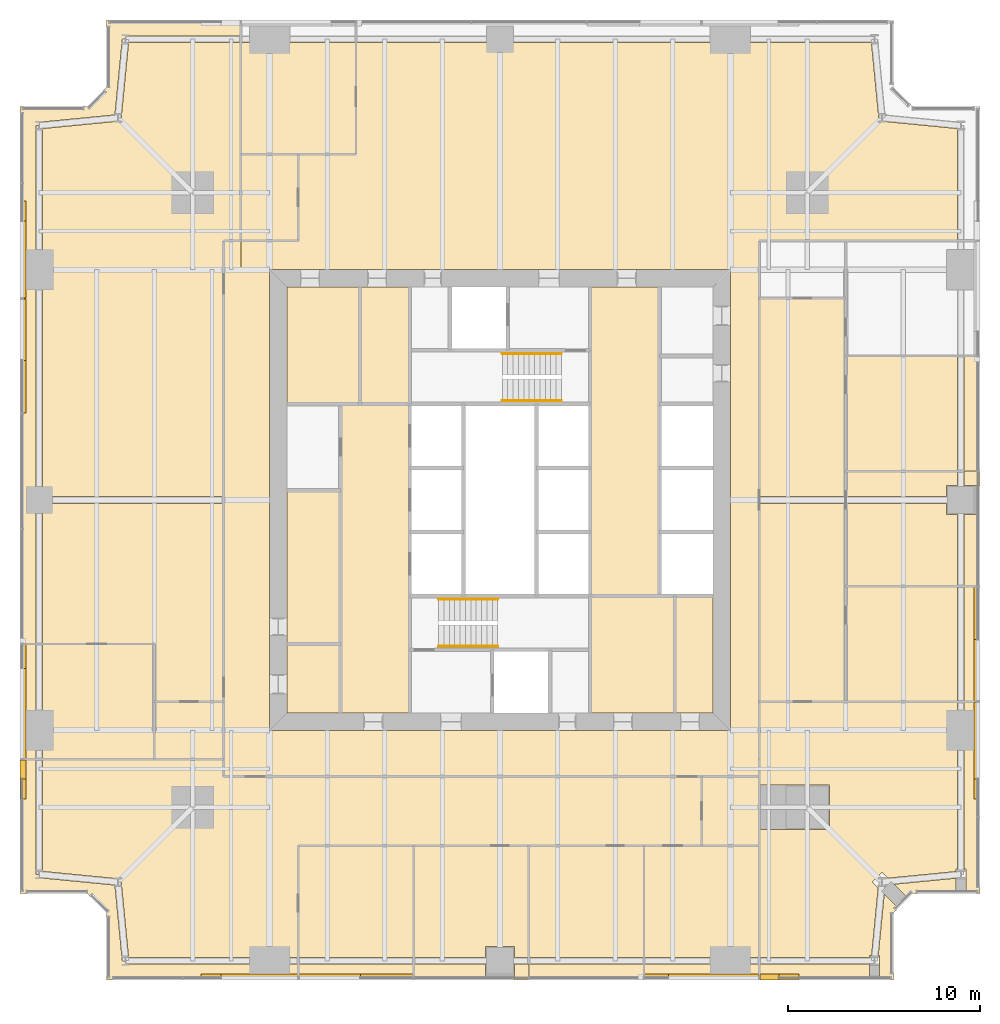
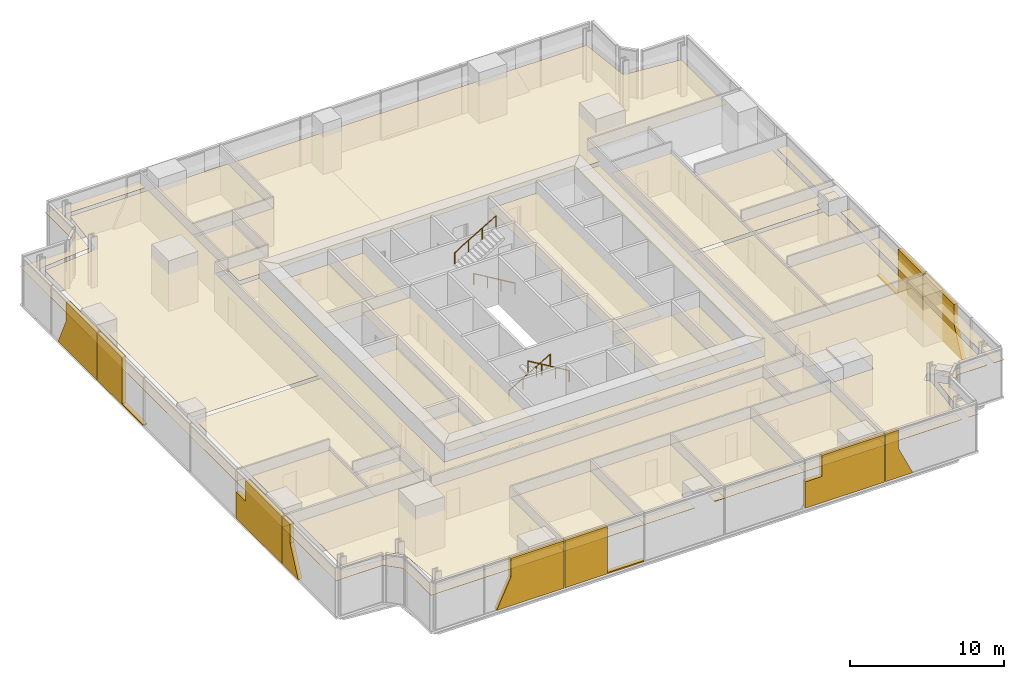
# One storey, part 12 of 13: 55 coverings, 4 railings.
"""IFC4 building model written with IfcOpenShell, lengths in metres."""

from ifc_helpers import new_model, si_unit, direction, frame, origin, origin_2d, place, context, subcontext, project, spatial, polyline, circle, outline, extrude, material, layer, layer_set, type_object, element, save


model = new_model("IFC4")

# Units and contexts
model_context = context("Model", 3, precision=1e-05, world=origin(), true_north=direction((0.0, 1.0)))
body_context = subcontext(model_context, "Body", "Model", "MODEL_VIEW")
ifc_project = project(units=[si_unit("LENGTHUNIT", "METRE"), si_unit("AREAUNIT", "SQUARE_METRE"), si_unit("VOLUMEUNIT", "CUBIC_METRE"), si_unit("PLANEANGLEUNIT", "RADIAN"), si_unit("MASSUNIT", "GRAM", prefix="KILO")], contexts=[model_context])

# Site, building, storey
site_placement = place(None, origin())
site = spatial("IfcSite", under=ifc_project, at=site_placement, CompositionType="ELEMENT")
building_placement = place(site_placement, origin())
building = spatial("IfcBuilding", under=site, at=building_placement, Name="Fenwick Lantern Interchange", CompositionType="ELEMENT")
storey_placement = place(building_placement, frame((0.0, 0.0, 126.39990234375)))
storey = spatial("IfcBuildingStorey", under=building, at=storey_placement, Name="L29", CompositionType="ELEMENT", Elevation=126.39990234375)

# Coverings
ifc_material_1 = material(Name="Mineral fibre acoustic tile on suspended grid")
ifc_layer_1 = layer(ifc_material_1, 0.02001953125)
ifc_layer_set_1 = layer_set([ifc_layer_1], Name="ACOUSTIC TILE CEILING 20")
covering_type_1 = type_object("IfcCoveringType", Name="ACOUSTIC TILE CEILING 20", PredefinedType="CEILING", material=ifc_layer_set_1)
covering_1_placement = place(storey_placement, frame((0.0, 0.0, 2.900146484375)))
element("IfcCovering", 1, at=covering_1_placement, inside=storey, type_object=covering_type_1, Name="Office suite ceiling", PredefinedType="CEILING", context=body_context, shape_type="SweptSolid", body=[
    extrude(outline(polyline([(10.60009765625, 11.5), (1.17236328125, 11.5), (1.17236328125, 5.656494140625), (5.11669921875, 5.271484375), (5.10009765625, 5.10009765625), (5.271484375, 5.11669921875), (5.656494140625, 1.17236328125), (13.0, 1.17236328125), (14.5, 1.17236328125), (14.5, 7.0), (35.5, 7.0), (35.5, 10.60009765625), (10.60009765625, 10.60009765625), (10.60009765625, 11.5)])), origin(), (0.0, 0.0, 1.0), 0.02001953125),
])
covering_2_placement = place(storey_placement, frame((0.0, 0.0, 2.900146484375)))
element("IfcCovering", 2, at=covering_2_placement, inside=storey, type_object=covering_type_1, Name="Office suite ceiling", PredefinedType="CEILING", context=body_context, shape_type="SweptSolid", body=[
    extrude(outline(polyline([(0.82763671875, 11.5), (0.0, 11.5), (0.0, 4.5), (3.5, 4.5), (4.5, 3.5), (4.5, 0.0), (14.5, 0.0), (14.5, 0.82763671875), (13.0, 0.82763671875), (5.5, 0.82763671875), (5.5, 1.0), (5.328369140625, 0.983154296875), (4.942138671875, 4.942138671875), (0.983154296875, 5.328369140625), (1.0, 5.5), (0.82763671875, 5.5), (0.82763671875, 11.5)])), origin(), (0.0, 0.0, 1.0), 0.02001953125),
])
covering_3_placement = place(storey_placement, frame((0.0, 0.0, 2.900146484375)))
element("IfcCovering", 3, at=covering_3_placement, inside=storey, type_object=covering_type_1, Name="Office ceiling", PredefinedType="CEILING", context=body_context, shape_type="SweptSolid", body=[
    extrude(outline(polyline([(14.5, 7.0), (14.5, 1.17236328125), (20.5, 1.17236328125), (20.5, 7.0), (14.5, 7.0)])), origin(), (0.0, 0.0, 1.0), 0.02001953125),
])
covering_4_placement = place(storey_placement, frame((0.0, 0.0, 2.900146484375)))
element("IfcCovering", 4, at=covering_4_placement, inside=storey, type_object=covering_type_1, Name="Office ceiling", PredefinedType="CEILING", context=body_context, shape_type="SweptSolid", body=[
    extrude(outline(polyline([(20.5, 0.0), (20.5, 0.82763671875), (14.5, 0.82763671875), (14.5, 0.0), (20.5, 0.0)])), origin(), (0.0, 0.0, 1.0), 0.02001953125),
])
covering_5_placement = place(storey_placement, frame((0.0, 0.0, 2.900146484375)))
element("IfcCovering", 5, at=covering_5_placement, inside=storey, type_object=covering_type_1, Name="Office ceiling", PredefinedType="CEILING", context=body_context, shape_type="SweptSolid", body=[
    extrude(outline(polyline([(20.5, 7.0), (20.5, 1.17236328125), (24.25, 1.17236328125), (24.25, 1.75), (25.75, 1.75), (25.75, 1.17236328125), (26.5, 1.17236328125), (26.5, 7.0), (20.5, 7.0)])), origin(), (0.0, 0.0, 1.0), 0.02001953125),
])
covering_6_placement = place(storey_placement, frame((0.0, 0.0, 2.900146484375)))
element("IfcCovering", 6, at=covering_6_placement, inside=storey, type_object=covering_type_1, Name="Office ceiling", PredefinedType="CEILING", context=body_context, shape_type="SweptSolid", body=[
    extrude(outline(polyline([(20.5, 0.82763671875), (20.5, 0.0), (24.25, 0.0), (24.25, 0.82763671875), (20.5, 0.82763671875)])), origin(), (0.0, 0.0, 1.0), 0.02001953125),
])
covering_7_placement = place(storey_placement, frame((0.0, 0.0, 2.900146484375)))
element("IfcCovering", 7, at=covering_7_placement, inside=storey, type_object=covering_type_1, Name="Office ceiling", PredefinedType="CEILING", context=body_context, shape_type="SweptSolid", body=[
    extrude(outline(polyline([(26.5, 0.0), (26.5, 0.82763671875), (25.75, 0.82763671875), (25.75, 0.0), (26.5, 0.0)])), origin(), (0.0, 0.0, 1.0), 0.02001953125),
])
covering_8_placement = place(storey_placement, frame((0.0, 0.0, 2.900146484375)))
element("IfcCovering", 8, at=covering_8_placement, inside=storey, type_object=covering_type_1, Name="Office ceiling", PredefinedType="CEILING", context=body_context, shape_type="SweptSolid", body=[
    extrude(outline(polyline([(26.5, 7.0), (26.5, 1.17236328125), (32.5, 1.17236328125), (32.5, 7.0), (26.5, 7.0)])), origin(), (0.0, 0.0, 1.0), 0.02001953125),
])
covering_9_placement = place(storey_placement, frame((0.0, 0.0, 2.900146484375)))
element("IfcCovering", 9, at=covering_9_placement, inside=storey, type_object=covering_type_1, Name="Office ceiling", PredefinedType="CEILING", context=body_context, shape_type="SweptSolid", body=[
    extrude(outline(polyline([(32.5, 0.0), (32.5, 0.82763671875), (26.5, 0.82763671875), (26.5, 0.0), (32.5, 0.0)])), origin(), (0.0, 0.0, 1.0), 0.02001953125),
])
covering_10_placement = place(storey_placement, frame((0.0, 0.0, 2.900146484375)))
element("IfcCovering", 10, at=covering_10_placement, inside=storey, type_object=covering_type_1, Name="Meeting room ceiling", PredefinedType="CEILING", context=body_context, shape_type="SweptSolid", body=[
    extrude(outline(polyline([(32.5, 7.0), (32.5, 1.17236328125), (37.0, 1.17236328125), (38.5, 1.17236328125), (38.5, 7.0), (32.5, 7.0)])), origin(), (0.0, 0.0, 1.0), 0.02001953125),
])
covering_11_placement = place(storey_placement, frame((0.0, 0.0, 2.900146484375)))
element("IfcCovering", 11, at=covering_11_placement, inside=storey, type_object=covering_type_1, Name="Meeting room ceiling", PredefinedType="CEILING", context=body_context, shape_type="SweptSolid", body=[
    extrude(outline(polyline([(38.5, 0.0), (38.5, 0.82763671875), (37.0, 0.82763671875), (32.5, 0.82763671875), (32.5, 0.0), (38.5, 0.0)])), origin(), (0.0, 0.0, 1.0), 0.02001953125),
])
covering_12_placement = place(storey_placement, frame((0.0, 0.0, 2.900146484375)))
element("IfcCovering", 12, at=covering_12_placement, inside=storey, type_object=covering_type_1, Name="Office suite ceiling", PredefinedType="CEILING", context=body_context, shape_type="SweptSolid", body=[
    extrude(outline(polyline([(38.5, 24.824951171875), (38.5, 14.5), (43.0, 14.5), (43.0, 24.824951171875), (38.5, 24.824951171875)])), origin(), (0.0, 0.0, 1.0), 0.02001953125),
])
covering_13_placement = place(storey_placement, frame((0.0, 0.0, 2.900146484375)))
element("IfcCovering", 13, at=covering_13_placement, inside=storey, type_object=covering_type_1, Name="Office suite ceiling", PredefinedType="CEILING", context=body_context, shape_type="SweptSolid", body=[
    extrude(outline(polyline([(38.5, 35.5), (38.5, 25.175048828125), (43.0, 25.175048828125), (43.0, 35.5), (38.5, 35.5)])), origin(), (0.0, 0.0, 1.0), 0.02001953125),
])
covering_14_placement = place(storey_placement, frame((0.0, 0.0, 2.900146484375)))
element("IfcCovering", 14, at=covering_14_placement, inside=storey, type_object=covering_type_1, Name="Office ceiling", PredefinedType="CEILING", context=body_context, shape_type="SweptSolid", body=[
    extrude(outline(polyline([(44.23779296875, 1.28759765625), (44.354736328125, 1.28759765625), (44.696044921875, 4.78369140625), (44.379638671875, 5.10009765625), (44.89990234375, 5.620361328125), (45.21630859375, 5.303955078125), (48.73779296875, 5.647705078125), (48.73779296875, 5.78759765625), (48.82763671875, 5.78759765625), (48.82763671875, 13.0), (48.82763671875, 14.5), (38.5, 14.5), (38.5, 10.14990234375), (42.14990234375, 10.14990234375), (42.14990234375, 7.85009765625), (38.5, 7.85009765625), (38.5, 1.17236328125), (44.23779296875, 1.17236328125), (44.23779296875, 1.28759765625)])), origin(), (0.0, 0.0, 1.0), 0.02001953125),
])
covering_15_placement = place(storey_placement, frame((0.0, 0.0, 2.900146484375)))
element("IfcCovering", 15, at=covering_15_placement, inside=storey, type_object=covering_type_1, Name="Office ceiling", PredefinedType="CEILING", context=body_context, shape_type="SweptSolid", body=[
    extrude(outline(polyline([(50.0, 14.5), (49.17236328125, 14.5), (49.17236328125, 13.0), (49.17236328125, 5.78759765625), (49.26220703125, 5.78759765625), (49.26220703125, 4.5), (50.0, 4.5), (50.0, 14.5)])), origin(), (0.0, 0.0, 1.0), 0.02001953125),
])
covering_16_placement = place(storey_placement, frame((0.0, 0.0, 2.900146484375)))
element("IfcCovering", 16, at=covering_16_placement, inside=storey, type_object=covering_type_1, Name="Office ceiling", PredefinedType="CEILING", context=body_context, shape_type="SweptSolid", body=[
    extrude(outline(polyline([(44.23779296875, 0.0), (44.23779296875, 0.82763671875), (38.5, 0.82763671875), (38.5, 0.0), (44.23779296875, 0.0)])), origin(), (0.0, 0.0, 1.0), 0.02001953125),
])
covering_17_placement = place(storey_placement, frame((0.0, 0.0, 2.900146484375)))
element("IfcCovering", 17, at=covering_17_placement, inside=storey, type_object=covering_type_1, Name="Office ceiling", PredefinedType="CEILING", context=body_context, shape_type="SweptSolid", body=[
    extrude(outline(polyline([(44.76220703125, 1.28759765625), (44.76220703125, 0.0), (45.5, 0.0), (45.5, 3.5), (45.73974609375, 3.73974609375), (45.011474609375, 4.468017578125), (44.701171875, 1.28759765625), (44.76220703125, 1.28759765625)])), origin(), (0.0, 0.0, 1.0), 0.02001953125),
])
covering_18_placement = place(storey_placement, frame((0.0, 0.0, 2.900146484375)))
element("IfcCovering", 18, at=covering_18_placement, inside=storey, type_object=covering_type_1, Name="Office ceiling", PredefinedType="CEILING", context=body_context, shape_type="SweptSolid", body=[
    extrude(outline(polyline([(48.73779296875, 4.5), (48.73779296875, 5.30126953125), (45.531982421875, 4.988525390625), (46.26025390625, 4.26025390625), (46.5, 4.5), (48.73779296875, 4.5)])), origin(), (0.0, 0.0, 1.0), 0.02001953125),
])
covering_19_placement = place(storey_placement, frame((0.0, 0.0, 2.900146484375)))
element("IfcCovering", 19, at=covering_19_placement, inside=storey, type_object=covering_type_1, Name="Office ceiling", PredefinedType="CEILING", context=body_context, shape_type="SweptSolid", body=[
    extrude(outline(polyline([(43.0, 14.5), (48.82763671875, 14.5), (48.82763671875, 20.5), (43.0, 20.5), (43.0, 14.5)])), origin(), (0.0, 0.0, 1.0), 0.02001953125),
])
covering_20_placement = place(storey_placement, frame((0.0, 0.0, 2.900146484375)))
element("IfcCovering", 20, at=covering_20_placement, inside=storey, type_object=covering_type_1, Name="Office ceiling", PredefinedType="CEILING", context=body_context, shape_type="SweptSolid", body=[
    extrude(outline(polyline([(50.0, 20.5), (49.17236328125, 20.5), (49.17236328125, 14.5), (50.0, 14.5), (50.0, 20.5)])), origin(), (0.0, 0.0, 1.0), 0.02001953125),
])
covering_21_placement = place(storey_placement, frame((0.0, 0.0, 2.900146484375)))
element("IfcCovering", 21, at=covering_21_placement, inside=storey, type_object=covering_type_1, Name="Office ceiling", PredefinedType="CEILING", context=body_context, shape_type="SweptSolid", body=[
    extrude(outline(polyline([(43.0, 20.5), (48.82763671875, 20.5), (48.82763671875, 24.25), (48.25, 24.25), (48.25, 24.824951171875), (43.0, 24.824951171875), (43.0, 20.5)])), origin(), (0.0, 0.0, 1.0), 0.02001953125),
])
covering_22_placement = place(storey_placement, frame((0.0, 0.0, 2.900146484375)))
element("IfcCovering", 22, at=covering_22_placement, inside=storey, type_object=covering_type_1, Name="Office ceiling", PredefinedType="CEILING", context=body_context, shape_type="SweptSolid", body=[
    extrude(outline(polyline([(43.0, 26.5), (43.0, 25.175048828125), (48.25, 25.175048828125), (48.25, 25.75), (48.82763671875, 25.75), (48.82763671875, 26.5), (43.0, 26.5)])), origin(), (0.0, 0.0, 1.0), 0.02001953125),
])
covering_23_placement = place(storey_placement, frame((0.0, 0.0, 2.900146484375)))
element("IfcCovering", 23, at=covering_23_placement, inside=storey, type_object=covering_type_1, Name="Office ceiling", PredefinedType="CEILING", context=body_context, shape_type="SweptSolid", body=[
    extrude(outline(polyline([(49.17236328125, 20.5), (50.0, 20.5), (50.0, 24.25), (49.17236328125, 24.25), (49.17236328125, 20.5)])), origin(), (0.0, 0.0, 1.0), 0.02001953125),
])
covering_24_placement = place(storey_placement, frame((0.0, 0.0, 2.900146484375)))
element("IfcCovering", 24, at=covering_24_placement, inside=storey, type_object=covering_type_1, Name="Office ceiling", PredefinedType="CEILING", context=body_context, shape_type="SweptSolid", body=[
    extrude(outline(polyline([(50.0, 26.5), (49.17236328125, 26.5), (49.17236328125, 25.75), (50.0, 25.75), (50.0, 26.5)])), origin(), (0.0, 0.0, 1.0), 0.02001953125),
])
covering_25_placement = place(storey_placement, frame((0.0, 0.0, 2.900146484375)))
element("IfcCovering", 25, at=covering_25_placement, inside=storey, type_object=covering_type_1, Name="Office ceiling", PredefinedType="CEILING", context=body_context, shape_type="SweptSolid", body=[
    extrude(outline(polyline([(43.0, 26.5), (48.82763671875, 26.5), (48.82763671875, 32.5), (43.0, 32.5), (43.0, 26.5)])), origin(), (0.0, 0.0, 1.0), 0.02001953125),
])
covering_26_placement = place(storey_placement, frame((0.0, 0.0, 2.900146484375)))
element("IfcCovering", 26, at=covering_26_placement, inside=storey, type_object=covering_type_1, Name="Office ceiling", PredefinedType="CEILING", context=body_context, shape_type="SweptSolid", body=[
    extrude(outline(polyline([(50.0, 32.5), (49.17236328125, 32.5), (49.17236328125, 26.5), (50.0, 26.5), (50.0, 32.5)])), origin(), (0.0, 0.0, 1.0), 0.02001953125),
])
covering_27_placement = place(storey_placement, frame((0.0, 0.0, 2.900146484375)))
element("IfcCovering", 27, at=covering_27_placement, inside=storey, type_object=covering_type_1, Name="Open office ceiling", PredefinedType="CEILING", context=body_context, shape_type="SweptSolid", body=[
    extrude(outline(polyline([(38.5, 38.5), (48.82763671875, 38.5), (48.82763671875, 44.343505859375), (44.88330078125, 44.728515625), (44.89990234375, 44.89990234375), (44.728515625, 44.88330078125), (44.343505859375, 48.82763671875), (37.0, 48.82763671875), (25.0, 48.82763671875), (17.5, 48.82763671875), (17.5, 43.0), (14.5, 43.0), (14.5, 38.5), (11.5, 38.5), (11.5, 37.0), (38.5, 37.0), (38.5, 38.5)])), origin(), (0.0, 0.0, 1.0), 0.02001953125),
])
covering_28_placement = place(storey_placement, frame((0.0, 0.0, 2.900146484375)))
element("IfcCovering", 28, at=covering_28_placement, inside=storey, type_object=covering_type_1, Name="Meeting room ceiling", PredefinedType="CEILING", context=body_context, shape_type="SweptSolid", body=[
    extrude(outline(polyline([(17.5, 43.0), (17.5, 48.82763671875), (13.0, 48.82763671875), (11.5, 48.82763671875), (11.5, 43.0), (17.5, 43.0)])), origin(), (0.0, 0.0, 1.0), 0.02001953125),
])
covering_29_placement = place(storey_placement, frame((0.0, 0.0, 2.900146484375)))
element("IfcCovering", 29, at=covering_29_placement, inside=storey, type_object=covering_type_1, Name="Open office ceiling", PredefinedType="CEILING", context=body_context, shape_type="SweptSolid", body=[
    extrude(outline(polyline([(11.5, 38.5), (11.5, 48.82763671875), (5.656494140625, 48.82763671875), (5.271484375, 44.88330078125), (5.10009765625, 44.89990234375), (5.11669921875, 44.728515625), (1.17236328125, 44.343505859375), (1.17236328125, 37.0), (1.17236328125, 25.175048828125), (10.60009765625, 25.175048828125), (10.60009765625, 38.5), (11.5, 38.5)])), origin(), (0.0, 0.0, 1.0), 0.02001953125),
])
covering_30_placement = place(storey_placement, frame((0.0, 0.0, 2.900146484375)))
element("IfcCovering", 30, at=covering_30_placement, inside=storey, type_object=covering_type_1, Name="Open office ceiling", PredefinedType="CEILING", context=body_context, shape_type="SweptSolid", body=[
    extrude(outline(polyline([(10.60009765625, 14.5), (10.60009765625, 24.824951171875), (1.17236328125, 24.824951171875), (1.17236328125, 17.5), (7.0, 17.5), (7.0, 14.5), (10.60009765625, 14.5)])), origin(), (0.0, 0.0, 1.0), 0.02001953125),
])
covering_31_placement = place(storey_placement, frame((0.0, 0.0, 2.900146484375)))
element("IfcCovering", 31, at=covering_31_placement, inside=storey, type_object=covering_type_1, Name="Open office ceiling", PredefinedType="CEILING", context=body_context, shape_type="SweptSolid", body=[
    extrude(outline(polyline([(0.0, 45.5), (0.0, 17.5), (0.82763671875, 17.5), (0.82763671875, 25.0), (0.82763671875, 37.0), (0.82763671875, 44.5), (1.0, 44.5), (0.983154296875, 44.671630859375), (4.942138671875, 45.057861328125), (5.328369140625, 49.016845703125), (5.5, 49.0), (5.5, 49.17236328125), (11.5, 49.17236328125), (11.5, 50.0), (4.5, 50.0), (4.5, 46.5), (3.5, 45.5), (0.0, 45.5)])), origin(), (0.0, 0.0, 1.0), 0.02001953125),
])
covering_32_placement = place(storey_placement, frame((0.0, 0.0, 2.900146484375)))
element("IfcCovering", 32, at=covering_32_placement, inside=storey, type_object=covering_type_1, Name="Meeting room ceiling", PredefinedType="CEILING", context=body_context, shape_type="SweptSolid", body=[
    extrude(outline(polyline([(7.0, 17.5), (1.17236328125, 17.5), (1.17236328125, 13.0), (1.17236328125, 11.5), (7.0, 11.5), (7.0, 17.5)])), origin(), (0.0, 0.0, 1.0), 0.02001953125),
])
covering_33_placement = place(storey_placement, frame((0.0, 0.0, 2.900146484375)))
element("IfcCovering", 33, at=covering_33_placement, inside=storey, type_object=covering_type_1, Name="Meeting room ceiling", PredefinedType="CEILING", context=body_context, shape_type="SweptSolid", body=[
    extrude(outline(polyline([(0.0, 11.5), (0.82763671875, 11.5), (0.82763671875, 13.0), (0.82763671875, 17.5), (0.0, 17.5), (0.0, 11.5)])), origin(), (0.0, 0.0, 1.0), 0.02001953125),
])
ifc_material_2 = material(Name="Granite cladding, warm grey flamed finish, on aluminium carrier frame", Category="masonry")
ifc_layer_2 = layer(ifc_material_2, 0.300048828125)
ifc_layer_set_2 = layer_set([ifc_layer_2], Name="BRACE CASING PANEL 300")
covering_type_2 = type_object("IfcCoveringType", Name="BRACE CASING PANEL 300", PredefinedType="CLADDING", material=ifc_layer_set_2)
covering_34_placement = place(storey_placement, frame((4.60009765625, 0.10009765625, 0.0), z_axis=(0.0, 0.0, 1.0), x_axis=(1.0, 0.0, 0.0)))
element("IfcCovering", 34, at=covering_34_placement, inside=storey, type_object=covering_type_2, Name="Brace casing 01 bay 01a", PredefinedType="CLADDING", context=body_context, shape_type="SweptSolid", body=[
    extrude(outline(polyline([(4.821044921875, 0.0), (9.867431640625, 0.0), (9.867431640625, 3.75), (5.880126953125, 3.75), (5.880126953125, 2.259033203125), (4.821044921875, 0.0)])), frame((0.0, 0.2001953125, 0.0), z_axis=(0.0, -1.0, 0.0), x_axis=(1.0, 0.0, 0.0)), (0.0, 0.0, 1.0), 0.300048828125),
])
covering_35_placement = place(storey_placement, frame((4.60009765625, 0.10009765625, 0.0), z_axis=(0.0, 0.0, 1.0), x_axis=(1.0, 0.0, 0.0)))
element("IfcCovering", 35, at=covering_35_placement, inside=storey, type_object=covering_type_2, Name="Brace casing 01 bay 02a", PredefinedType="CLADDING", context=body_context, shape_type="SweptSolid", body=[
    extrude(outline(polyline([(9.9326171875, 0.0), (15.867431640625, 0.0), (15.867431640625, 0.093994140625), (13.125, 0.093994140625), (13.125, 3.75), (9.9326171875, 3.75), (9.9326171875, 0.0)])), frame((0.0, 0.2001953125, 0.0), z_axis=(0.0, -1.0, 0.0), x_axis=(1.0, 0.0, 0.0)), (0.0, 0.0, 1.0), 0.300048828125),
])
covering_36_placement = place(storey_placement, frame((4.60009765625, 0.10009765625, 0.0), z_axis=(0.0, 0.0, 1.0), x_axis=(1.0, 0.0, 0.0)))
element("IfcCovering", 36, at=covering_36_placement, inside=storey, type_object=covering_type_2, Name="Brace casing 01 bay 05a", PredefinedType="CLADDING", context=body_context, shape_type="SweptSolid", body=[
    extrude(outline(polyline([(27.9326171875, 0.0), (33.867431640625, 0.0), (33.867431640625, 3.75), (29.172607421875, 3.75), (29.172607421875, 2.0908203125), (27.9326171875, 2.0908203125), (27.9326171875, 0.0)])), frame((0.0, 0.2001953125, 0.0), z_axis=(0.0, -1.0, 0.0), x_axis=(1.0, 0.0, 0.0)), (0.0, 0.0, 1.0), 0.300048828125),
])
covering_37_placement = place(storey_placement, frame((4.60009765625, 0.10009765625, 0.0), z_axis=(0.0, 0.0, 1.0), x_axis=(1.0, 0.0, 0.0)))
element("IfcCovering", 37, at=covering_37_placement, inside=storey, type_object=covering_type_2, Name="Brace casing 01 bay 06a", PredefinedType="CLADDING", context=body_context, shape_type="SweptSolid", body=[
    extrude(outline(polyline([(33.9326171875, 0.0), (35.978759765625, 0.0), (34.919921875, 2.259033203125), (34.919921875, 3.75), (33.9326171875, 3.75), (33.9326171875, 0.0)])), frame((0.0, 0.2001953125, 0.0), z_axis=(0.0, -1.0, 0.0), x_axis=(1.0, 0.0, 0.0)), (0.0, 0.0, 1.0), 0.300048828125),
])
covering_38_placement = place(storey_placement, frame((49.89990234375, 4.60009765625, 0.0), z_axis=(0.0, 0.0, 1.0), x_axis=(0.0, 1.0, 0.0)))
element("IfcCovering", 38, at=covering_38_placement, inside=storey, type_object=covering_type_2, Name="Brace casing 05 bay 01a", PredefinedType="CLADDING", context=body_context, shape_type="SweptSolid", body=[
    extrude(outline(polyline([(4.821044921875, 0.0), (9.867431640625, 0.0), (9.867431640625, 3.75), (5.880126953125, 3.75), (5.880126953125, 2.259033203125), (4.821044921875, 0.0)])), frame((0.0, 0.2001953125, 0.0), z_axis=(0.0, -1.0, 0.0), x_axis=(1.0, 0.0, 0.0)), (0.0, 0.0, 1.0), 0.300048828125),
])
covering_39_placement = place(storey_placement, frame((49.89990234375, 4.60009765625, 0.0), z_axis=(0.0, 0.0, 1.0), x_axis=(0.0, 1.0, 0.0)))
element("IfcCovering", 39, at=covering_39_placement, inside=storey, type_object=covering_type_2, Name="Brace casing 05 bay 02a", PredefinedType="CLADDING", context=body_context, shape_type="SweptSolid", body=[
    extrude(outline(polyline([(9.9326171875, 0.0), (15.867431640625, 0.0), (15.867431640625, 0.093994140625), (13.125, 0.093994140625), (13.125, 3.75), (9.9326171875, 3.75), (9.9326171875, 0.0)])), frame((0.0, 0.2001953125, 0.0), z_axis=(0.0, -1.0, 0.0), x_axis=(1.0, 0.0, 0.0)), (0.0, 0.0, 1.0), 0.300048828125),
])
covering_40_placement = place(storey_placement, frame((0.10009765625, 45.39990234375, 0.0), z_axis=(0.0, 0.0, 1.0), x_axis=(0.0, -1.0, 0.0)))
element("IfcCovering", 40, at=covering_40_placement, inside=storey, type_object=covering_type_2, Name="Brace casing 13 bay 01a", PredefinedType="CLADDING", context=body_context, shape_type="SweptSolid", body=[
    extrude(outline(polyline([(4.821044921875, 0.0), (9.867431640625, 0.0), (9.867431640625, 3.75), (5.880126953125, 3.75), (5.880126953125, 2.259033203125), (4.821044921875, 0.0)])), frame((0.0, 0.2001953125, 0.0), z_axis=(0.0, -1.0, 0.0), x_axis=(1.0, 0.0, 0.0)), (0.0, 0.0, 1.0), 0.300048828125),
])
covering_41_placement = place(storey_placement, frame((0.10009765625, 45.39990234375, 0.0), z_axis=(0.0, 0.0, 1.0), x_axis=(0.0, -1.0, 0.0)))
element("IfcCovering", 41, at=covering_41_placement, inside=storey, type_object=covering_type_2, Name="Brace casing 13 bay 02a", PredefinedType="CLADDING", context=body_context, shape_type="SweptSolid", body=[
    extrude(outline(polyline([(9.9326171875, 0.0), (15.867431640625, 0.0), (15.867431640625, 0.093994140625), (13.125, 0.093994140625), (13.125, 3.75), (9.9326171875, 3.75), (9.9326171875, 0.0)])), frame((0.0, 0.2001953125, 0.0), z_axis=(0.0, -1.0, 0.0), x_axis=(1.0, 0.0, 0.0)), (0.0, 0.0, 1.0), 0.300048828125),
])
covering_42_placement = place(storey_placement, frame((0.10009765625, 45.39990234375, 0.0), z_axis=(0.0, 0.0, 1.0), x_axis=(0.0, -1.0, 0.0)))
element("IfcCovering", 42, at=covering_42_placement, inside=storey, type_object=covering_type_2, Name="Brace casing 13 bay 05a", PredefinedType="CLADDING", context=body_context, shape_type="SweptSolid", body=[
    extrude(outline(polyline([(27.9326171875, 0.0), (33.867431640625, 0.0), (33.867431640625, 3.75), (29.172607421875, 3.75), (29.172607421875, 2.0908203125), (27.9326171875, 2.0908203125), (27.9326171875, 0.0)])), frame((0.0, 0.2001953125, 0.0), z_axis=(0.0, -1.0, 0.0), x_axis=(1.0, 0.0, 0.0)), (0.0, 0.0, 1.0), 0.300048828125),
])
covering_43_placement = place(storey_placement, frame((0.10009765625, 45.39990234375, 0.0), z_axis=(0.0, 0.0, 1.0), x_axis=(0.0, -1.0, 0.0)))
element("IfcCovering", 43, at=covering_43_placement, inside=storey, type_object=covering_type_2, Name="Brace casing 13 bay 06a", PredefinedType="CLADDING", context=body_context, shape_type="SweptSolid", body=[
    extrude(outline(polyline([(33.9326171875, 0.0), (35.978759765625, 0.0), (34.919921875, 2.259033203125), (34.919921875, 3.75), (33.9326171875, 3.75), (33.9326171875, 0.0)])), frame((0.0, 0.2001953125, 0.0), z_axis=(0.0, -1.0, 0.0), x_axis=(1.0, 0.0, 0.0)), (0.0, 0.0, 1.0), 0.300048828125),
])

# Railings
ifc_material_3 = material(Name="Stainless steel handrail", Category="steel")
railing_type = type_object("IfcRailingType", Name="HANDRAIL 900", PredefinedType="HANDRAIL", material=ifc_material_3)
railing_1_placement = place(storey_placement, frame((21.800048828125, 19.825927734375, 0.166748046875)))
element("IfcRailing", 44, at=railing_1_placement, inside=storey, type_object=railing_type, Name="L29/STAIR/ST1/HR1", PredefinedType="HANDRAIL", context=body_context, shape_type="SweptSolid", body=[
    extrude(circle(Radius=0.02392578125, at=origin_2d()), frame((0.0, 0.0, 0.8759765625), z_axis=(0.859290745958, 0.0, 0.51148745235), x_axis=(0.0, 1.0, 0.0)), (0.0, 0.0, 1.0), 3.584228515625),
    extrude(circle(Radius=0.02099609375, at=origin_2d()), origin(), (0.0, 0.0, 1.0), 0.851806640625),
    extrude(circle(Radius=0.02099609375, at=origin_2d()), frame((1.026611328125, 0.0, 0.611083984375)), (0.0, 0.0, 1.0), 0.851806640625),
    extrude(circle(Radius=0.02099609375, at=origin_2d()), frame((2.05322265625, 0.0, 1.22216796875)), (0.0, 0.0, 1.0), 0.851806640625),
    extrude(circle(Radius=0.02099609375, at=origin_2d()), frame((3.079833984375, 0.0, 1.833251953125)), (0.0, 0.0, 1.0), 0.851806640625),
])
for number, where, name in (
    (45, (24.8798828125, 17.3740234375, 2.166748046875), "L29/STAIR/ST1/HR2"),
    (46, (28.199951171875, 30.174072265625, 0.166748046875), "L29/STAIR/ST2/HR1"),
):
    element("IfcRailing", number, at=place(storey_placement, frame(where)), inside=storey, type_object=railing_type, Name=name, PredefinedType="HANDRAIL", context=body_context, shape_type="SweptSolid", body=[
        extrude(circle(Radius=0.02392578125, at=origin_2d()), frame((0.0, 0.0, 0.8759765625), z_axis=(-0.859290745958, 0.0, 0.51148745235), x_axis=(0.0, -1.0, 0.0)), (0.0, 0.0, 1.0), 3.584228515625),
        extrude(circle(Radius=0.02099609375, at=origin_2d()), origin(), (0.0, 0.0, 1.0), 0.851806640625),
        extrude(circle(Radius=0.02099609375, at=origin_2d()), frame((-1.026611328125, 0.0, 0.611083984375)), (0.0, 0.0, 1.0), 0.851806640625),
        extrude(circle(Radius=0.02099609375, at=origin_2d()), frame((-2.05322265625, 0.0, 1.22216796875)), (0.0, 0.0, 1.0), 0.851806640625),
        extrude(circle(Radius=0.02099609375, at=origin_2d()), frame((-3.079833984375, 0.0, 1.833251953125)), (0.0, 0.0, 1.0), 0.851806640625),
    ])
railing_2_placement = place(storey_placement, frame((25.1201171875, 32.6259765625, 2.166748046875)))
element("IfcRailing", 47, at=railing_2_placement, inside=storey, type_object=railing_type, Name="L29/STAIR/ST2/HR2", PredefinedType="HANDRAIL", context=body_context, shape_type="SweptSolid", body=[
    extrude(circle(Radius=0.02392578125, at=origin_2d()), frame((0.0, 0.0, 0.8759765625), z_axis=(0.859290745958, 0.0, 0.51148745235), x_axis=(0.0, 1.0, 0.0)), (0.0, 0.0, 1.0), 3.584228515625),
    extrude(circle(Radius=0.02099609375, at=origin_2d()), origin(), (0.0, 0.0, 1.0), 0.851806640625),
    extrude(circle(Radius=0.02099609375, at=origin_2d()), frame((1.026611328125, 0.0, 0.611083984375)), (0.0, 0.0, 1.0), 0.851806640625),
    extrude(circle(Radius=0.02099609375, at=origin_2d()), frame((2.05322265625, 0.0, 1.22216796875)), (0.0, 0.0, 1.0), 0.851806640625),
    extrude(circle(Radius=0.02099609375, at=origin_2d()), frame((3.079833984375, 0.0, 1.833251953125)), (0.0, 0.0, 1.0), 0.851806640625),
])

# Coverings
ifc_material_4 = material(Name="Moisture resistant gypsum board on suspended frame, painted")
ifc_layer_3 = layer(ifc_material_4, 0.014892578125)
ifc_layer_set_3 = layer_set([ifc_layer_3], Name="MOISTURE RESISTANT CEILING 15")
covering_type_3 = type_object("IfcCoveringType", Name="MOISTURE RESISTANT CEILING 15", PredefinedType="CEILING", material=ifc_layer_set_3)
covering_44_placement = place(storey_placement, frame((0.0, 0.0, 2.60009765625)))
element("IfcCovering", 48, at=covering_44_placement, inside=storey, type_object=covering_type_3, Name="Women's WC ceiling", PredefinedType="CEILING", context=body_context, shape_type="SweptSolid", body=[
    extrude(outline(polyline([(29.699951171875, 13.89990234375), (34.10009765625, 13.89990234375), (34.10009765625, 20.0), (29.699951171875, 20.0), (29.699951171875, 13.89990234375)])), origin(), (0.0, 0.0, 1.0), 0.014892578125),
])
covering_45_placement = place(storey_placement, frame((0.0, 0.0, 2.60009765625)))
element("IfcCovering", 49, at=covering_45_placement, inside=storey, type_object=covering_type_3, Name="Men's WC ceiling", PredefinedType="CEILING", context=body_context, shape_type="SweptSolid", body=[
    extrude(outline(polyline([(34.10009765625, 13.89990234375), (36.10009765625, 13.89990234375), (36.10009765625, 20.0), (34.10009765625, 20.0), (34.10009765625, 13.89990234375)])), origin(), (0.0, 0.0, 1.0), 0.014892578125),
])
covering_46_placement = place(storey_placement, frame((0.0, 0.0, 2.60009765625)))
element("IfcCovering", 50, at=covering_46_placement, inside=storey, type_object=covering_type_3, Name="Accessible WC and shower ceiling", PredefinedType="CEILING", context=body_context, shape_type="SweptSolid", body=[
    extrude(outline(polyline([(13.89990234375, 13.89990234375), (16.699951171875, 13.89990234375), (16.699951171875, 17.5), (13.89990234375, 17.5), (13.89990234375, 13.89990234375)])), origin(), (0.0, 0.0, 1.0), 0.014892578125),
])
covering_47_placement = place(storey_placement, frame((0.0, 0.0, 2.7001953125)))
element("IfcCovering", 51, at=covering_47_placement, inside=storey, type_object=covering_type_3, Name="Pantry ceiling", PredefinedType="CEILING", context=body_context, shape_type="SweptSolid", body=[
    extrude(outline(polyline([(13.89990234375, 17.5), (16.699951171875, 17.5), (16.699951171875, 25.5), (13.89990234375, 25.5), (13.89990234375, 17.5)])), origin(), (0.0, 0.0, 1.0), 0.014892578125),
])
covering_48_placement = place(storey_placement, frame((0.0, 0.0, 2.60009765625)))
element("IfcCovering", 52, at=covering_48_placement, inside=storey, type_object=covering_type_3, Name="Men's WC ceiling", PredefinedType="CEILING", context=body_context, shape_type="SweptSolid", body=[
    extrude(outline(polyline([(20.300048828125, 36.10009765625), (17.699951171875, 36.10009765625), (17.699951171875, 30.0), (20.300048828125, 30.0), (20.300048828125, 36.10009765625)])), origin(), (0.0, 0.0, 1.0), 0.014892578125),
])
covering_49_placement = place(storey_placement, frame((0.0, 0.0, 2.60009765625)))
element("IfcCovering", 53, at=covering_49_placement, inside=storey, type_object=covering_type_3, Name="Women's WC ceiling", PredefinedType="CEILING", context=body_context, shape_type="SweptSolid", body=[
    extrude(outline(polyline([(17.699951171875, 36.10009765625), (13.89990234375, 36.10009765625), (13.89990234375, 30.0), (17.699951171875, 30.0), (17.699951171875, 36.10009765625)])), origin(), (0.0, 0.0, 1.0), 0.014892578125),
])
covering_50_placement = place(storey_placement, frame((0.0, 0.0, 2.7001953125)))
element("IfcCovering", 54, at=covering_50_placement, inside=storey, type_object=covering_type_3, Name="Pantry ceiling", PredefinedType="CEILING", context=body_context, shape_type="SweptSolid", body=[
    extrude(outline(polyline([(35.5, 7.0), (38.5, 7.0), (38.5, 10.60009765625), (35.5, 10.60009765625), (35.5, 7.0)])), origin(), (0.0, 0.0, 1.0), 0.014892578125),
])
covering_51_placement = place(storey_placement, frame((0.0, 0.0, 2.7001953125)))
element("IfcCovering", 55, at=covering_51_placement, inside=storey, type_object=covering_type_3, Name="Pantry ceiling", PredefinedType="CEILING", context=body_context, shape_type="SweptSolid", body=[
    extrude(outline(polyline([(14.5, 43.0), (11.5, 43.0), (11.5, 38.5), (14.5, 38.5), (14.5, 43.0)])), origin(), (0.0, 0.0, 1.0), 0.014892578125),
])
covering_52_placement = place(storey_placement, frame((0.0, 0.0, 2.7001953125)))
element("IfcCovering", 56, at=covering_52_placement, inside=storey, type_object=covering_type_3, Name="Pantry ceiling", PredefinedType="CEILING", context=body_context, shape_type="SweptSolid", body=[
    extrude(outline(polyline([(7.0, 14.5), (7.0, 11.5), (10.60009765625, 11.5), (10.60009765625, 14.5), (7.0, 14.5)])), origin(), (0.0, 0.0, 1.0), 0.014892578125),
])
ifc_material_5 = material(Name="Gypsum plasterboard on suspended frame, painted")
ifc_layer_4 = layer(ifc_material_5, 0.014892578125)
ifc_layer_set_4 = layer_set([ifc_layer_4], Name="PLASTERBOARD CEILING 15")
covering_type_4 = type_object("IfcCoveringType", Name="PLASTERBOARD CEILING 15", PredefinedType="CEILING", material=ifc_layer_set_4)
covering_53_placement = place(storey_placement, frame((0.0, 0.0, 2.800048828125)))
element("IfcCovering", 57, at=covering_53_placement, inside=storey, type_object=covering_type_4, Name="Lift lobby ceiling", PredefinedType="CEILING", context=body_context, shape_type="SweptSolid", body=[
    extrude(outline(polyline([(16.699951171875, 13.89990234375), (20.300048828125, 13.89990234375), (20.300048828125, 30.0), (16.699951171875, 30.0), (16.699951171875, 13.89990234375)])), origin(), (0.0, 0.0, 1.0), 0.01513671875),
])
covering_54_placement = place(storey_placement, frame((0.0, 0.0, 2.800048828125)))
element("IfcCovering", 58, at=covering_54_placement, inside=storey, type_object=covering_type_4, Name="Lift lobby ceiling", PredefinedType="CEILING", context=body_context, shape_type="SweptSolid", body=[
    extrude(outline(polyline([(33.300048828125, 36.10009765625), (29.699951171875, 36.10009765625), (29.699951171875, 20.0), (33.300048828125, 20.0), (33.300048828125, 36.10009765625)])), origin(), (0.0, 0.0, 1.0), 0.01513671875),
])
covering_55_placement = place(storey_placement, frame((0.0, 0.0, 2.60009765625)))
element("IfcCovering", 59, at=covering_55_placement, inside=storey, type_object=covering_type_4, Name="Corridor ceiling", PredefinedType="CEILING", context=body_context, shape_type="SweptSolid", body=[
    extrude(outline(polyline([(10.60009765625, 38.5), (10.60009765625, 10.60009765625), (38.5, 10.60009765625), (38.5, 37.0), (37.0, 37.0), (37.0, 13.0), (13.0, 13.0), (13.0, 37.0), (11.5, 37.0), (11.5, 38.5), (10.60009765625, 38.5)])), origin(), (0.0, 0.0, 1.0), 0.014892578125),
])

save(model, "model.ifc")
